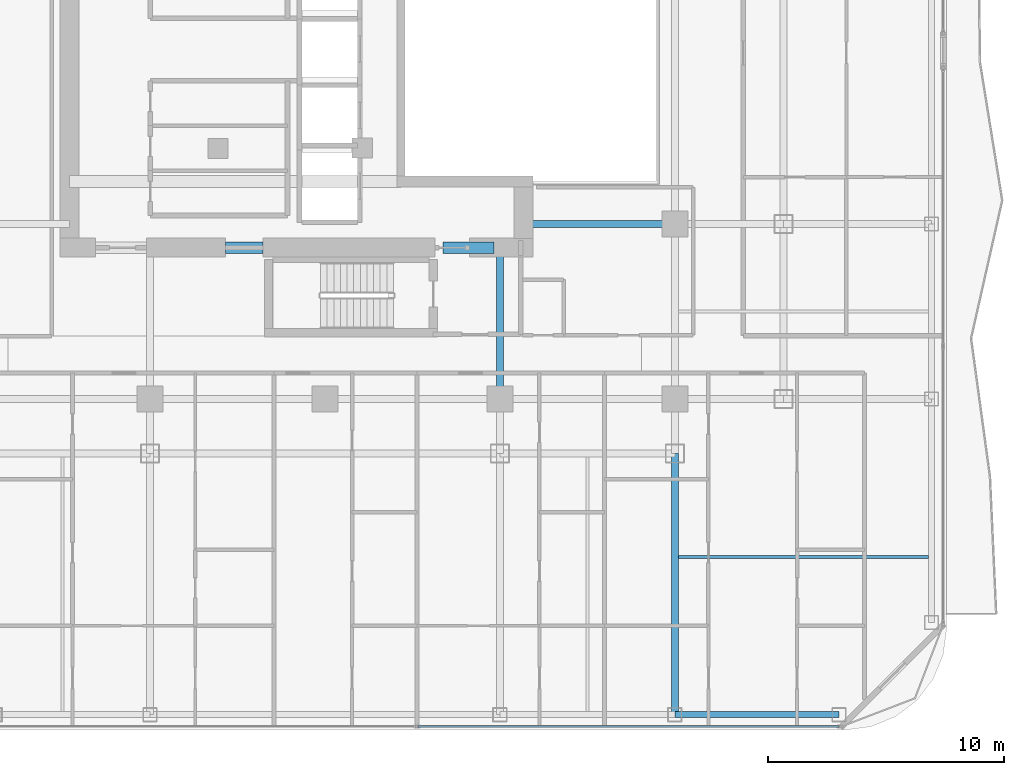
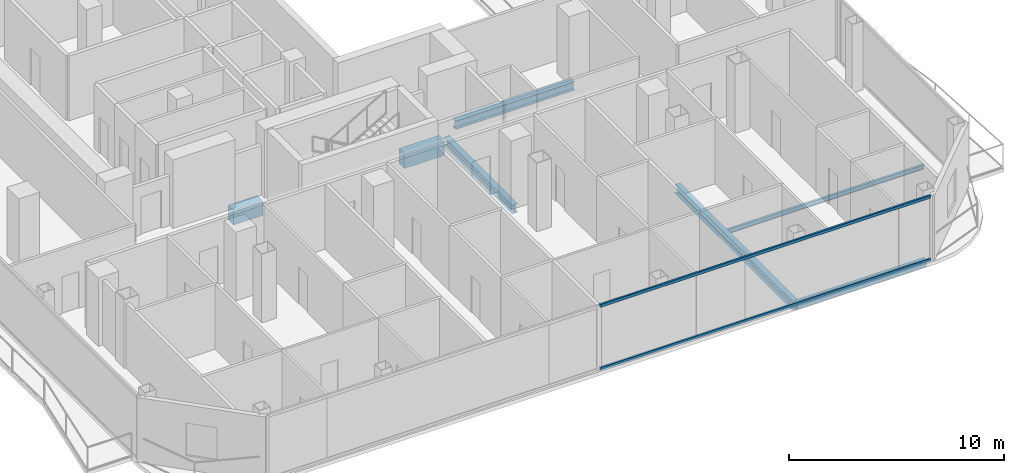
# One storey, part 9 of 26: 7 beams, 2 members, 1 element without a shape of its own.
"""IFC4 building model written with IfcOpenShell, lengths in metres."""

from ifc_helpers import new_model, si_unit, direction, frame, origin, origin_2d, place, context, subcontext, project, spatial, rectangle, hollow_rectangle, i_section, extrude, material, layer, layer_set, material_profile, profile_set, type_object, element, aggregate, save


model = new_model("IFC4")

# Units and contexts
model_context = context("Model", 3, precision=1e-05, world=origin(), true_north=direction((0.0, 1.0)))
body_context = subcontext(model_context, "Body", "Model", "MODEL_VIEW")
ifc_project = project(units=[si_unit("LENGTHUNIT", "METRE"), si_unit("AREAUNIT", "SQUARE_METRE"), si_unit("VOLUMEUNIT", "CUBIC_METRE"), si_unit("PLANEANGLEUNIT", "RADIAN"), si_unit("MASSUNIT", "GRAM", prefix="KILO")], contexts=[model_context])

# Site, building, storey
site_placement = place(None, origin())
site = spatial("IfcSite", under=ifc_project, at=site_placement, CompositionType="ELEMENT")
building_placement = place(site_placement, origin())
building = spatial("IfcBuilding", under=site, at=building_placement, Name="Khorvyn Point Tower", CompositionType="ELEMENT")
storey_placement = place(building_placement, frame((0.0, 0.0, 223.5)))
storey = spatial("IfcBuildingStorey", under=building, at=storey_placement, Name="L55", CompositionType="ELEMENT", Elevation=223.5)

# Curtain wall, members
ifc_material_1 = material(Name="Anodised aluminium 6063-T6 and laminated Low-E glass", Category="aluminium")
ifc_layer = layer(ifc_material_1, 0.18994140625)
ifc_layer_set = layer_set([ifc_layer], Name="Stick-Built Acoustic Curtain Wall CW-SYS-03")
curtain_wall_type = type_object("IfcCurtainWallType", Name="Stick-Built Acoustic Curtain Wall CW-SYS-03", PredefinedType="NOTDEFINED", material=ifc_layer_set)
curtain_wall_placement = place(storey_placement, origin())
curtain_wall = element("IfcCurtainWall", 1, at=curtain_wall_placement, inside=storey, type_object=curtain_wall_type, Name="Curtain Wall", PredefinedType="NOTDEFINED")
ifc_material_2 = material(Name="Anodised aluminium 6063-T6", Category="aluminium")
ifc_material_profile_1 = material_profile(ifc_material_2, hollow_rectangle(XDim=0.10009765625, YDim=0.159912109375, WallThickness=0.00439453125, at=origin_2d()))
ifc_profile_set_1 = profile_set([ifc_material_profile_1], Name="Anodised aluminium 6063-T6 ALU-TRN-100x160")
member_type = type_object("IfcMemberType", Name="Anodised Aluminium 6063-T6 Transom ALU-TRN-100x160", PredefinedType="USERDEFINED", material=ifc_profile_set_1)
member_1_placement = place(storey_placement, frame((21.75, -28.64990234375, 0.050048828125), z_axis=(-1.0, 0.0, 0.0), x_axis=(0.0, -1.0, 0.0)))
member_1 = element("IfcMember", 2, at=member_1_placement, type_object=member_type, Name="Transom", ObjectType="TRANSOM", PredefinedType="USERDEFINED", context=body_context, shape_type="SweptSolid", body=[
    extrude(hollow_rectangle(XDim=0.10009765625, YDim=0.159912109375, WallThickness=0.00439453125, at=origin_2d()), origin(), (0.0, 0.0, 1.0), 17.800048828125),
])
member_2_placement = place(storey_placement, frame((21.75, -28.64990234375, 3.6298828125), z_axis=(-1.0, 0.0, 0.0), x_axis=(0.0, -1.0, 0.0)))
member_2 = element("IfcMember", 3, at=member_2_placement, type_object=member_type, Name="Transom", ObjectType="TRANSOM", PredefinedType="USERDEFINED", context=body_context, shape_type="SweptSolid", body=[
    extrude(hollow_rectangle(XDim=0.10009765625, YDim=0.159912109375, WallThickness=0.00439453125, at=origin_2d()), origin(), (0.0, 0.0, 1.0), 17.800048828125),
])
aggregate(curtain_wall, [member_1, member_2])

# Beams
ifc_material_3 = material(Name="Concrete C45/55", Category="concrete")
ifc_material_profile_2 = material_profile(ifc_material_3, rectangle(XDim=0.5, YDim=0.85009765625, at=origin_2d()))
ifc_profile_set_2 = profile_set([ifc_material_profile_2], Name="Concrete C45/55 RC500x850")
beam_type_1 = type_object("IfcBeamType", Name="Concrete C45/55 Beam RC500x850", PredefinedType="BEAM", material=ifc_profile_set_2)
beam_1_placement = place(storey_placement, frame((-4.199951171875, -8.39990234375, -0.64501953125), z_axis=(1.0, 0.0, 0.0), x_axis=(0.0, 1.0, 0.0)))
element("IfcBeam", 4, at=beam_1_placement, inside=storey, type_object=beam_type_1, Name="L55 Core Shuttle Portal Coupling Beam", PredefinedType="BEAM", context=body_context, shape_type="SweptSolid", body=[
    extrude(rectangle(XDim=0.5, YDim=0.85009765625, at=origin_2d()), origin(), (0.0, 0.0, 1.0), 1.579833984375),
])
beam_2_placement = place(storey_placement, frame((5.0, -8.39990234375, -0.64501953125), z_axis=(1.0, 0.0, 0.0), x_axis=(0.0, 1.0, 0.0)))
element("IfcBeam", 5, at=beam_2_placement, inside=storey, type_object=beam_type_1, Name="L55 Core Southeast Portal Coupling Beam", PredefinedType="BEAM", context=body_context, shape_type="SweptSolid", body=[
    extrude(rectangle(XDim=0.5, YDim=0.85009765625, at=origin_2d()), origin(), (0.0, 0.0, 1.0), 2.14990234375),
])
ifc_material_4 = material(Name="Steel S355", Category="steel")
ifc_material_profile_3 = material_profile(ifc_material_4, i_section(OverallWidth=0.125, OverallDepth=0.25, WebThickness=0.006103515625, FlangeThickness=0.009033203125, at=origin_2d()))
ifc_profile_set_3 = profile_set([ifc_material_profile_3], Name="Steel S355 H250x125x6x9")
beam_type_2 = type_object("IfcBeamType", Name="Steel S355 Joist H250x125x6x9", PredefinedType="JOIST", material=ifc_profile_set_3)
beam_3_placement = place(storey_placement, frame((14.949951171875, -21.47509765625, -0.344970703125), z_axis=(1.0, 0.0, 0.0), x_axis=(0.0, 1.0, 0.0)))
element("IfcBeam", 6, at=beam_3_placement, inside=storey, type_object=beam_type_2, Name="Beam", PredefinedType="JOIST", context=body_context, shape_type="SweptSolid", body=[
    extrude(i_section(OverallWidth=0.125, OverallDepth=0.25, WebThickness=0.006103515625, FlangeThickness=0.009033203125, at=origin_2d()), origin(), (0.0, 0.0, 1.0), 10.574951171875),
])
ifc_material_profile_4 = material_profile(ifc_material_4, i_section(OverallWidth=0.300048828125, OverallDepth=0.488037109375, WebThickness=0.010986328125, FlangeThickness=0.01806640625, at=origin_2d()))
ifc_profile_set_4 = profile_set([ifc_material_profile_4], Name="Steel S355 H488x300x11x18")
beam_type_3 = type_object("IfcBeamType", Name="Steel S355 Spandrel H488x300x11x18", PredefinedType="SPANDREL", material=ifc_profile_set_4)
beam_4_placement = place(storey_placement, frame((8.39990234375, -7.39990234375, -0.464111328125), z_axis=(1.0, 0.0, 0.0), x_axis=(0.0, 1.0, 0.0)))
element("IfcBeam", 7, at=beam_4_placement, inside=storey, type_object=beam_type_3, Name="Beam", PredefinedType="SPANDREL", context=body_context, shape_type="SweptSolid", body=[
    extrude(i_section(OverallWidth=0.300048828125, OverallDepth=0.488037109375, WebThickness=0.010986328125, FlangeThickness=0.01806640625, at=origin_2d()), origin(), (0.0, 0.0, 1.0), 6.400146484375),
])
beam_5_placement = place(storey_placement, frame((14.800048828125, -28.14990234375, -0.464111328125), z_axis=(0.0, 1.0, 0.0), x_axis=(-1.0, 0.0, 0.0)))
element("IfcBeam", 8, at=beam_5_placement, inside=storey, type_object=beam_type_3, Name="Beam", PredefinedType="SPANDREL", context=body_context, shape_type="SweptSolid", body=[
    extrude(i_section(OverallWidth=0.300048828125, OverallDepth=0.488037109375, WebThickness=0.010986328125, FlangeThickness=0.01806640625, at=origin_2d()), origin(), (0.0, 0.0, 1.0), 11.0498046875),
])
beam_6_placement = place(storey_placement, frame((7.39990234375, -14.800048828125, -0.464111328125), z_axis=(0.0, 1.0, 0.0), x_axis=(-1.0, 0.0, 0.0)))
element("IfcBeam", 9, at=beam_6_placement, inside=storey, type_object=beam_type_3, Name="Beam", PredefinedType="SPANDREL", context=body_context, shape_type="SweptSolid", body=[
    extrude(i_section(OverallWidth=0.300048828125, OverallDepth=0.488037109375, WebThickness=0.010986328125, FlangeThickness=0.01806640625, at=origin_2d()), origin(), (0.0, 0.0, 1.0), 6.400146484375),
])
ifc_material_profile_5 = material_profile(ifc_material_4, hollow_rectangle(XDim=0.25, YDim=0.39990234375, WallThickness=0.01611328125, at=origin_2d()))
ifc_profile_set_5 = profile_set([ifc_material_profile_5], Name="Steel S355 RHS400x250x16")
beam_type_4 = type_object("IfcBeamType", Name="Steel S355 Spandrel RHS400x250x16", PredefinedType="SPANDREL", material=ifc_profile_set_5)
beam_7_placement = place(storey_placement, frame((14.800048828125, -28.14990234375, -0.419921875), z_axis=(1.0, 0.0, 0.0), x_axis=(0.0, 1.0, 0.0)))
element("IfcBeam", 10, at=beam_7_placement, inside=storey, type_object=beam_type_4, Name="Beam", PredefinedType="SPANDREL", context=body_context, shape_type="SweptSolid", body=[
    extrude(hollow_rectangle(XDim=0.25, YDim=0.39990234375, WallThickness=0.01611328125, at=origin_2d()), origin(), (0.0, 0.0, 1.0), 6.949951171875),
])

save(model, "model.ifc")
